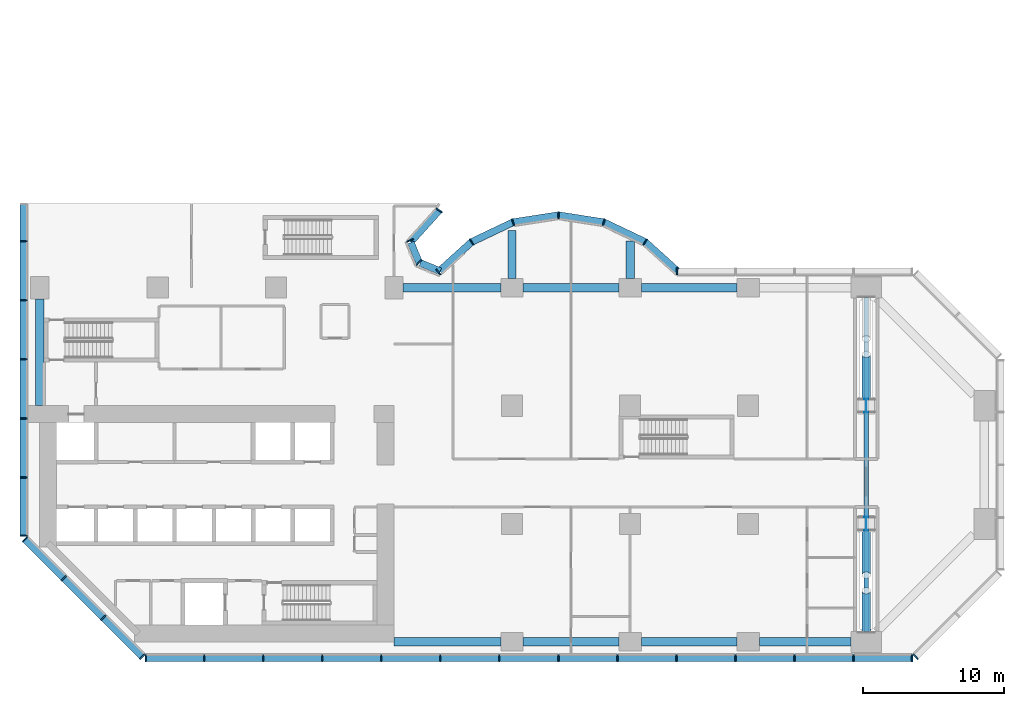
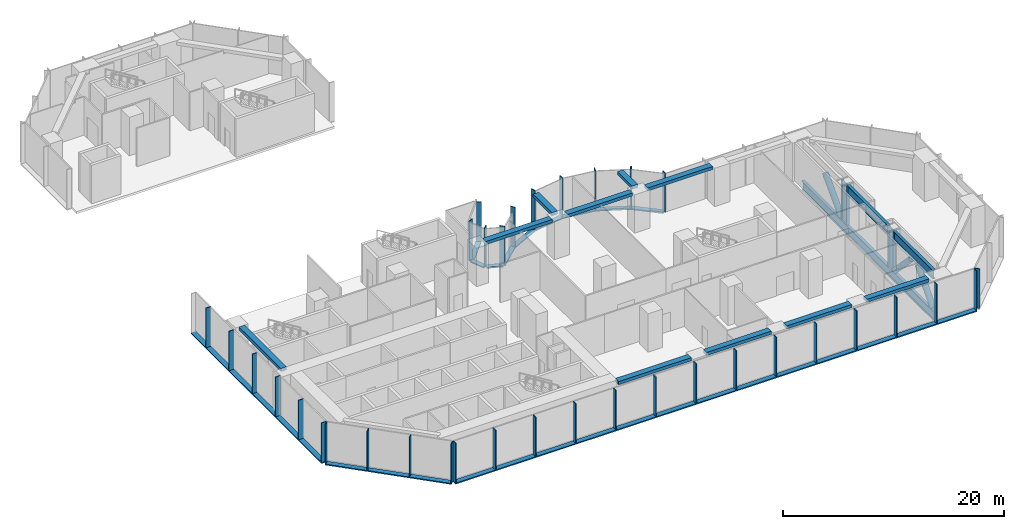
# One storey, part 2 of 18: 55 members, 10 beams, 8 elements without a shape of their own.
"""IFC4 building model written with IfcOpenShell, lengths in metres."""

from ifc_helpers import new_model, si_unit, direction, frame, origin, origin_2d, place, context, subcontext, project, spatial, rectangle, hollow_circle, i_section, extrude, material, material_profile, profile_set, type_object, element, aggregate, save


model = new_model("IFC4")

# Units and contexts
model_context = context("Model", 3, precision=1e-05, world=origin(), true_north=direction((0.0, 1.0)))
body_context = subcontext(model_context, "Body", "Model", "MODEL_VIEW")
ifc_project = project(units=[si_unit("LENGTHUNIT", "METRE"), si_unit("AREAUNIT", "SQUARE_METRE"), si_unit("VOLUMEUNIT", "CUBIC_METRE"), si_unit("PLANEANGLEUNIT", "RADIAN"), si_unit("MASSUNIT", "GRAM", prefix="KILO")], contexts=[model_context])

# Site, building, storey
site_placement = place(None, origin())
site = spatial("IfcSite", under=ifc_project, at=site_placement, CompositionType="ELEMENT")
building_placement = place(site_placement, origin())
building = spatial("IfcBuilding", under=site, at=building_placement, Name="Brevane Broadcast Tower", CompositionType="ELEMENT")
storey_placement = place(building_placement, frame((0.0, 0.0, 27.5)))
storey = spatial("IfcBuildingStorey", under=building, at=storey_placement, Name="L04", CompositionType="ELEMENT", Elevation=27.5)

# Curtain wall, members
ifc_material_1 = material(Name="Aluminium 6063-T6 bronze anodised", Category="aluminium")
curtain_wall_type = type_object("IfcCurtainWallType", Name="CW-2 curtain wall", PredefinedType="NOTDEFINED", material=ifc_material_1)
curtain_wall_1_placement = place(storey_placement, origin())
curtain_wall_1 = element("IfcCurtainWall", 1, at=curtain_wall_1_placement, inside=storey, type_object=curtain_wall_type, Name="CW-2 podium base unit L04 south face", PredefinedType="NOTDEFINED")
ifc_material_profile_1 = material_profile(ifc_material_1, rectangle(XDim=0.5, YDim=0.090087890625, at=origin_2d()), Name="RECT 90x500")
ifc_profile_set_1 = profile_set([ifc_material_profile_1], Name="Aluminium 6063-T6 bronze anodised")
member_type_1 = type_object("IfcMemberType", Name="CW-2 mullion 90x500", PredefinedType="MULLION", material=ifc_profile_set_1)
member_1_placement = place(storey_placement, frame((7.544921875, -1.14990234375, -0.1298828125), z_axis=(0.0, 0.0, 1.0), x_axis=(0.0, 1.0, 0.0)))
member_1 = element("IfcMember", 2, at=member_1_placement, type_object=member_type_1, Name="CW-2 mullion", PredefinedType="MULLION", context=body_context, shape_type="SweptSolid", body=[
    extrude(rectangle(XDim=0.5, YDim=0.090087890625, at=origin_2d()), origin(), (0.0, 0.0, 1.0), 4.3798828125),
])
member_2_placement = place(storey_placement, frame((11.699951171875, -1.14990234375, -0.1298828125), z_axis=(0.0, 0.0, 1.0), x_axis=(0.0, 1.0, 0.0)))
member_2 = element("IfcMember", 3, at=member_2_placement, type_object=member_type_1, Name="CW-2 mullion", PredefinedType="MULLION", context=body_context, shape_type="SweptSolid", body=[
    extrude(rectangle(XDim=0.5, YDim=0.090087890625, at=origin_2d()), origin(), (0.0, 0.0, 1.0), 4.3798828125),
])
member_3_placement = place(storey_placement, frame((15.89990234375, -1.14990234375, -0.1298828125), z_axis=(0.0, 0.0, 1.0), x_axis=(0.0, 1.0, 0.0)))
member_3 = element("IfcMember", 4, at=member_3_placement, type_object=member_type_1, Name="CW-2 mullion", PredefinedType="MULLION", context=body_context, shape_type="SweptSolid", body=[
    extrude(rectangle(XDim=0.5, YDim=0.090087890625, at=origin_2d()), origin(), (0.0, 0.0, 1.0), 4.3798828125),
])
member_4_placement = place(storey_placement, frame((20.10009765625, -1.14990234375, -0.1298828125), z_axis=(0.0, 0.0, 1.0), x_axis=(0.0, 1.0, 0.0)))
member_4 = element("IfcMember", 5, at=member_4_placement, type_object=member_type_1, Name="CW-2 mullion", PredefinedType="MULLION", context=body_context, shape_type="SweptSolid", body=[
    extrude(rectangle(XDim=0.5, YDim=0.090087890625, at=origin_2d()), origin(), (0.0, 0.0, 1.0), 4.3798828125),
])
member_5_placement = place(storey_placement, frame((24.300048828125, -1.14990234375, -0.1298828125), z_axis=(0.0, 0.0, 1.0), x_axis=(0.0, 1.0, 0.0)))
member_5 = element("IfcMember", 6, at=member_5_placement, type_object=member_type_1, Name="CW-2 mullion", PredefinedType="MULLION", context=body_context, shape_type="SweptSolid", body=[
    extrude(rectangle(XDim=0.5, YDim=0.090087890625, at=origin_2d()), origin(), (0.0, 0.0, 1.0), 4.3798828125),
])
member_6_placement = place(storey_placement, frame((28.5, -1.14990234375, -0.1298828125), z_axis=(0.0, 0.0, 1.0), x_axis=(0.0, 1.0, 0.0)))
member_6 = element("IfcMember", 7, at=member_6_placement, type_object=member_type_1, Name="CW-2 mullion", PredefinedType="MULLION", context=body_context, shape_type="SweptSolid", body=[
    extrude(rectangle(XDim=0.5, YDim=0.090087890625, at=origin_2d()), origin(), (0.0, 0.0, 1.0), 4.3798828125),
])
member_7_placement = place(storey_placement, frame((32.699951171875, -1.14990234375, -0.1298828125), z_axis=(0.0, 0.0, 1.0), x_axis=(0.0, 1.0, 0.0)))
member_7 = element("IfcMember", 8, at=member_7_placement, type_object=member_type_1, Name="CW-2 mullion", PredefinedType="MULLION", context=body_context, shape_type="SweptSolid", body=[
    extrude(rectangle(XDim=0.5, YDim=0.090087890625, at=origin_2d()), origin(), (0.0, 0.0, 1.0), 4.3798828125),
])
member_8_placement = place(storey_placement, frame((36.89990234375, -1.14990234375, -0.1298828125), z_axis=(0.0, 0.0, 1.0), x_axis=(0.0, 1.0, 0.0)))
member_8 = element("IfcMember", 9, at=member_8_placement, type_object=member_type_1, Name="CW-2 mullion", PredefinedType="MULLION", context=body_context, shape_type="SweptSolid", body=[
    extrude(rectangle(XDim=0.5, YDim=0.090087890625, at=origin_2d()), origin(), (0.0, 0.0, 1.0), 4.3798828125),
])
member_9_placement = place(storey_placement, frame((41.10009765625, -1.14990234375, -0.1298828125), z_axis=(0.0, 0.0, 1.0), x_axis=(0.0, 1.0, 0.0)))
member_9 = element("IfcMember", 10, at=member_9_placement, type_object=member_type_1, Name="CW-2 mullion", PredefinedType="MULLION", context=body_context, shape_type="SweptSolid", body=[
    extrude(rectangle(XDim=0.5, YDim=0.090087890625, at=origin_2d()), origin(), (0.0, 0.0, 1.0), 4.3798828125),
])
member_10_placement = place(storey_placement, frame((45.300048828125, -1.14990234375, -0.1298828125), z_axis=(0.0, 0.0, 1.0), x_axis=(0.0, 1.0, 0.0)))
member_10 = element("IfcMember", 11, at=member_10_placement, type_object=member_type_1, Name="CW-2 mullion", PredefinedType="MULLION", context=body_context, shape_type="SweptSolid", body=[
    extrude(rectangle(XDim=0.5, YDim=0.090087890625, at=origin_2d()), origin(), (0.0, 0.0, 1.0), 4.3798828125),
])
member_11_placement = place(storey_placement, frame((49.5, -1.14990234375, -0.1298828125), z_axis=(0.0, 0.0, 1.0), x_axis=(0.0, 1.0, 0.0)))
member_11 = element("IfcMember", 12, at=member_11_placement, type_object=member_type_1, Name="CW-2 mullion", PredefinedType="MULLION", context=body_context, shape_type="SweptSolid", body=[
    extrude(rectangle(XDim=0.5, YDim=0.090087890625, at=origin_2d()), origin(), (0.0, 0.0, 1.0), 4.3798828125),
])
member_12_placement = place(storey_placement, frame((53.699951171875, -1.14990234375, -0.1298828125), z_axis=(0.0, 0.0, 1.0), x_axis=(0.0, 1.0, 0.0)))
member_12 = element("IfcMember", 13, at=member_12_placement, type_object=member_type_1, Name="CW-2 mullion", PredefinedType="MULLION", context=body_context, shape_type="SweptSolid", body=[
    extrude(rectangle(XDim=0.5, YDim=0.090087890625, at=origin_2d()), origin(), (0.0, 0.0, 1.0), 4.3798828125),
])
member_13_placement = place(storey_placement, frame((57.89990234375, -1.14990234375, -0.1298828125), z_axis=(0.0, 0.0, 1.0), x_axis=(0.0, 1.0, 0.0)))
member_13 = element("IfcMember", 14, at=member_13_placement, type_object=member_type_1, Name="CW-2 mullion", PredefinedType="MULLION", context=body_context, shape_type="SweptSolid", body=[
    extrude(rectangle(XDim=0.5, YDim=0.090087890625, at=origin_2d()), origin(), (0.0, 0.0, 1.0), 4.3798828125),
])
member_14_placement = place(storey_placement, frame((62.054931640625, -1.14990234375, -0.1298828125), z_axis=(0.0, 0.0, 1.0), x_axis=(0.0, 1.0, 0.0)))
member_14 = element("IfcMember", 15, at=member_14_placement, type_object=member_type_1, Name="CW-2 mullion", PredefinedType="MULLION", context=body_context, shape_type="SweptSolid", body=[
    extrude(rectangle(XDim=0.5, YDim=0.090087890625, at=origin_2d()), origin(), (0.0, 0.0, 1.0), 4.3798828125),
])

# Curtain wall, member
curtain_wall_2_placement = place(storey_placement, origin())
curtain_wall_2 = element("IfcCurtainWall", 16, at=curtain_wall_2_placement, inside=storey, type_object=curtain_wall_type, Name="CW-2 podium base unit L04 south-east chamfer", PredefinedType="NOTDEFINED")
member_15_placement = place(storey_placement, frame((62.30859375, -1.044921875, -0.1298828125), z_axis=(0.0, 0.0, 1.0), x_axis=(-0.707106781187, 0.707106781187, 0.0)))
member_15 = element("IfcMember", 17, at=member_15_placement, type_object=member_type_1, Name="CW-2 mullion", PredefinedType="MULLION", context=body_context, shape_type="SweptSolid", body=[
    extrude(rectangle(XDim=0.5, YDim=0.090087890625, at=origin_2d()), origin(), (0.0, 0.0, 1.0), 4.3798828125),
])
aggregate(curtain_wall_2, [member_15])

curtain_wall_3_placement = place(storey_placement, origin())
curtain_wall_3 = element("IfcCurtainWall", 18, at=curtain_wall_3_placement, inside=storey, type_object=curtain_wall_type, Name="CW-2 podium base unit L04 east arm north face", PredefinedType="NOTDEFINED")
member_16_placement = place(storey_placement, frame((45.344970703125, 26.35009765625, -0.1298828125), z_axis=(0.0, 0.0, 1.0), x_axis=(0.0, -1.0, 0.0)))
member_16 = element("IfcMember", 19, at=member_16_placement, type_object=member_type_1, Name="CW-2 mullion", PredefinedType="MULLION", context=body_context, shape_type="SweptSolid", body=[
    extrude(rectangle(XDim=0.5, YDim=0.090087890625, at=origin_2d()), origin(), (0.0, 0.0, 1.0), 4.3798828125),
])
aggregate(curtain_wall_3, [member_16])

# Curtain wall, members
curtain_wall_4_placement = place(storey_placement, origin())
curtain_wall_4 = element("IfcCurtainWall", 20, at=curtain_wall_4_placement, inside=storey, type_object=curtain_wall_type, Name="CW-2 podium base unit L04 east bow", PredefinedType="NOTDEFINED")
member_17_placement = place(storey_placement, frame((43.0712890625, 28.447021484375, -0.1298828125), z_axis=(0.0, 0.0, 1.0), x_axis=(-0.555997481379, -0.831183975243, 0.0)))
member_17 = element("IfcMember", 21, at=member_17_placement, type_object=member_type_1, Name="CW-2 mullion", PredefinedType="MULLION", context=body_context, shape_type="SweptSolid", body=[
    extrude(rectangle(XDim=0.5, YDim=0.090087890625, at=origin_2d()), origin(), (0.0, 0.0, 1.0), 4.3798828125),
])
member_18_placement = place(storey_placement, frame((40.126953125, 29.84912109375, -0.1298828125), z_axis=(0.0, 0.0, 1.0), x_axis=(-0.294828346832, -0.955550232015, 0.0)))
member_18 = element("IfcMember", 22, at=member_18_placement, type_object=member_type_1, Name="CW-2 mullion", PredefinedType="MULLION", context=body_context, shape_type="SweptSolid", body=[
    extrude(rectangle(XDim=0.5, YDim=0.090087890625, at=origin_2d()), origin(), (0.0, 0.0, 1.0), 4.3798828125),
])
member_19_placement = place(storey_placement, frame((36.89990234375, 30.35009765625, -0.1298828125), z_axis=(0.0, 0.0, 1.0), x_axis=(0.0, -1.0, 0.0)))
member_19 = element("IfcMember", 23, at=member_19_placement, type_object=member_type_1, Name="CW-2 mullion", PredefinedType="MULLION", context=body_context, shape_type="SweptSolid", body=[
    extrude(rectangle(XDim=0.5, YDim=0.090087890625, at=origin_2d()), origin(), (0.0, 0.0, 1.0), 4.3798828125),
])
member_20_placement = place(storey_placement, frame((33.673095703125, 29.84912109375, -0.1298828125), z_axis=(0.0, 0.0, 1.0), x_axis=(0.294828346832, -0.955550232015, 0.0)))
member_20 = element("IfcMember", 24, at=member_20_placement, type_object=member_type_1, Name="CW-2 mullion", PredefinedType="MULLION", context=body_context, shape_type="SweptSolid", body=[
    extrude(rectangle(XDim=0.5, YDim=0.090087890625, at=origin_2d()), origin(), (0.0, 0.0, 1.0), 4.3798828125),
])
member_21_placement = place(storey_placement, frame((30.728759765625, 28.447021484375, -0.1298828125), z_axis=(0.0, 0.0, 1.0), x_axis=(0.555997481379, -0.831183975243, 0.0)))
member_21 = element("IfcMember", 25, at=member_21_placement, type_object=member_type_1, Name="CW-2 mullion", PredefinedType="MULLION", context=body_context, shape_type="SweptSolid", body=[
    extrude(rectangle(XDim=0.5, YDim=0.090087890625, at=origin_2d()), origin(), (0.0, 0.0, 1.0), 4.3798828125),
])
member_22_placement = place(storey_placement, frame((28.36572265625, 26.315673828125, -0.1298828125), z_axis=(0.0, 0.0, 1.0), x_axis=(0.670368934758, -0.742027958578, 0.0)))
member_22 = element("IfcMember", 26, at=member_22_placement, type_object=member_type_1, Name="CW-2 mullion", PredefinedType="MULLION", context=body_context, shape_type="SweptSolid", body=[
    extrude(rectangle(XDim=0.5, YDim=0.090087890625, at=origin_2d()), origin(), (0.0, 0.0, 1.0), 4.3798828125),
])

curtain_wall_5_placement = place(storey_placement, origin())
curtain_wall_5 = element("IfcCurtainWall", 27, at=curtain_wall_5_placement, inside=storey, type_object=curtain_wall_type, Name="CW-2 podium base unit L04 inner corner", PredefinedType="NOTDEFINED")
member_23_placement = place(storey_placement, frame((26.979736328125, 26.979736328125, -0.1298828125), z_axis=(0.0, 0.0, 1.0), x_axis=(-0.707106781187, -0.707106781187, 0.0)))
member_23 = element("IfcMember", 28, at=member_23_placement, type_object=member_type_1, Name="CW-2 mullion", PredefinedType="MULLION", context=body_context, shape_type="SweptSolid", body=[
    extrude(rectangle(XDim=0.5, YDim=0.090087890625, at=origin_2d()), origin(), (0.0, 0.0, 1.0), 4.3798828125),
])
member_24_placement = place(storey_placement, frame((26.34814453125, 28.55419921875, -0.1298828125), z_axis=(0.0, 0.0, 1.0), x_axis=(-0.923879457699, -0.382683612978, 0.0)))
member_24 = element("IfcMember", 29, at=member_24_placement, type_object=member_type_1, Name="CW-2 mullion", PredefinedType="MULLION", context=body_context, shape_type="SweptSolid", body=[
    extrude(rectangle(XDim=0.5, YDim=0.090087890625, at=origin_2d()), origin(), (0.0, 0.0, 1.0), 4.3798828125),
])

# Curtain wall, member
curtain_wall_6_placement = place(storey_placement, origin())
curtain_wall_6 = element("IfcCurtainWall", 30, at=curtain_wall_6_placement, inside=storey, type_object=curtain_wall_type, Name="CW-2 podium base unit L04 north bow", PredefinedType="NOTDEFINED")
member_25_placement = place(storey_placement, frame((28.421875, 30.69140625, -0.1298828125), z_axis=(0.0, 0.0, 1.0), x_axis=(-0.831183975243, 0.555997481379, 0.0)))
member_25 = element("IfcMember", 31, at=member_25_placement, type_object=member_type_1, Name="CW-2 mullion", PredefinedType="MULLION", context=body_context, shape_type="SweptSolid", body=[
    extrude(rectangle(XDim=0.5, YDim=0.090087890625, at=origin_2d()), origin(), (0.0, 0.0, 1.0), 4.3798828125),
])

# Curtain wall, members
curtain_wall_7_placement = place(storey_placement, origin())
curtain_wall_7 = element("IfcCurtainWall", 32, at=curtain_wall_7_placement, inside=storey, type_object=curtain_wall_type, Name="CW-2 podium base unit L04 west face", PredefinedType="NOTDEFINED")
member_26_placement = place(storey_placement, frame((-1.14990234375, 28.5, -0.1298828125), z_axis=(0.0, 0.0, 1.0), x_axis=(1.0, 0.0, 0.0)))
member_26 = element("IfcMember", 33, at=member_26_placement, type_object=member_type_1, Name="CW-2 mullion", PredefinedType="MULLION", context=body_context, shape_type="SweptSolid", body=[
    extrude(rectangle(XDim=0.5, YDim=0.090087890625, at=origin_2d()), origin(), (0.0, 0.0, 1.0), 4.3798828125),
])
member_27_placement = place(storey_placement, frame((-1.14990234375, 24.300048828125, -0.1298828125), z_axis=(0.0, 0.0, 1.0), x_axis=(1.0, 0.0, 0.0)))
member_27 = element("IfcMember", 34, at=member_27_placement, type_object=member_type_1, Name="CW-2 mullion", PredefinedType="MULLION", context=body_context, shape_type="SweptSolid", body=[
    extrude(rectangle(XDim=0.5, YDim=0.090087890625, at=origin_2d()), origin(), (0.0, 0.0, 1.0), 4.3798828125),
])
member_28_placement = place(storey_placement, frame((-1.14990234375, 20.10009765625, -0.1298828125), z_axis=(0.0, 0.0, 1.0), x_axis=(1.0, 0.0, 0.0)))
member_28 = element("IfcMember", 35, at=member_28_placement, type_object=member_type_1, Name="CW-2 mullion", PredefinedType="MULLION", context=body_context, shape_type="SweptSolid", body=[
    extrude(rectangle(XDim=0.5, YDim=0.090087890625, at=origin_2d()), origin(), (0.0, 0.0, 1.0), 4.3798828125),
])
member_29_placement = place(storey_placement, frame((-1.14990234375, 15.89990234375, -0.1298828125), z_axis=(0.0, 0.0, 1.0), x_axis=(1.0, 0.0, 0.0)))
member_29 = element("IfcMember", 36, at=member_29_placement, type_object=member_type_1, Name="CW-2 mullion", PredefinedType="MULLION", context=body_context, shape_type="SweptSolid", body=[
    extrude(rectangle(XDim=0.5, YDim=0.090087890625, at=origin_2d()), origin(), (0.0, 0.0, 1.0), 4.3798828125),
])
member_30_placement = place(storey_placement, frame((-1.14990234375, 11.699951171875, -0.1298828125), z_axis=(0.0, 0.0, 1.0), x_axis=(1.0, 0.0, 0.0)))
member_30 = element("IfcMember", 37, at=member_30_placement, type_object=member_type_1, Name="CW-2 mullion", PredefinedType="MULLION", context=body_context, shape_type="SweptSolid", body=[
    extrude(rectangle(XDim=0.5, YDim=0.090087890625, at=origin_2d()), origin(), (0.0, 0.0, 1.0), 4.3798828125),
])
member_31_placement = place(storey_placement, frame((-1.14990234375, 7.544921875, -0.1298828125), z_axis=(0.0, 0.0, 1.0), x_axis=(1.0, 0.0, 0.0)))
member_31 = element("IfcMember", 38, at=member_31_placement, type_object=member_type_1, Name="CW-2 mullion", PredefinedType="MULLION", context=body_context, shape_type="SweptSolid", body=[
    extrude(rectangle(XDim=0.5, YDim=0.090087890625, at=origin_2d()), origin(), (0.0, 0.0, 1.0), 4.3798828125),
])

curtain_wall_8_placement = place(storey_placement, origin())
curtain_wall_8 = element("IfcCurtainWall", 39, at=curtain_wall_8_placement, inside=storey, type_object=curtain_wall_type, Name="CW-2 podium base unit L04 south-west chamfer", PredefinedType="NOTDEFINED")
member_32_placement = place(storey_placement, frame((-1.044921875, 7.29150390625, -0.1298828125), z_axis=(0.0, 0.0, 1.0), x_axis=(0.707106781187, 0.707106781187, 0.0)))
member_32 = element("IfcMember", 40, at=member_32_placement, type_object=member_type_1, Name="CW-2 mullion", PredefinedType="MULLION", context=body_context, shape_type="SweptSolid", body=[
    extrude(rectangle(XDim=0.5, YDim=0.090087890625, at=origin_2d()), origin(), (0.0, 0.0, 1.0), 4.3798828125),
])
member_33_placement = place(storey_placement, frame((1.72314453125, 4.523193359375, -0.1298828125), z_axis=(0.0, 0.0, 1.0), x_axis=(0.707106781187, 0.707106781187, 0.0)))
member_33 = element("IfcMember", 41, at=member_33_placement, type_object=member_type_1, Name="CW-2 mullion", PredefinedType="MULLION", context=body_context, shape_type="SweptSolid", body=[
    extrude(rectangle(XDim=0.5, YDim=0.090087890625, at=origin_2d()), origin(), (0.0, 0.0, 1.0), 4.3798828125),
])
member_34_placement = place(storey_placement, frame((4.523193359375, 1.72314453125, -0.1298828125), z_axis=(0.0, 0.0, 1.0), x_axis=(0.707106781187, 0.707106781187, 0.0)))
member_34 = element("IfcMember", 42, at=member_34_placement, type_object=member_type_1, Name="CW-2 mullion", PredefinedType="MULLION", context=body_context, shape_type="SweptSolid", body=[
    extrude(rectangle(XDim=0.5, YDim=0.090087890625, at=origin_2d()), origin(), (0.0, 0.0, 1.0), 4.3798828125),
])
member_35_placement = place(storey_placement, frame((7.29150390625, -1.044921875, -0.1298828125), z_axis=(0.0, 0.0, 1.0), x_axis=(0.707106781187, 0.707106781187, 0.0)))
member_35 = element("IfcMember", 43, at=member_35_placement, type_object=member_type_1, Name="CW-2 mullion", PredefinedType="MULLION", context=body_context, shape_type="SweptSolid", body=[
    extrude(rectangle(XDim=0.5, YDim=0.090087890625, at=origin_2d()), origin(), (0.0, 0.0, 1.0), 4.3798828125),
])

# Member
ifc_material_profile_2 = material_profile(ifc_material_1, rectangle(XDim=0.5, YDim=0.1201171875, at=origin_2d()), Name="RECT 120x500")
ifc_profile_set_2 = profile_set([ifc_material_profile_2], Name="Aluminium 6063-T6 bronze anodised")
member_type_2 = type_object("IfcMemberType", Name="CW-2 transom 120x500", PredefinedType="USERDEFINED", material=ifc_profile_set_2)
member_36_placement = place(storey_placement, frame((7.5, -1.14990234375, -0.18994140625), z_axis=(1.0, 0.0, 0.0), x_axis=(0.0, 1.0, 0.0)))
member_36 = element("IfcMember", 44, at=member_36_placement, type_object=member_type_2, Name="CW-2 transom", ObjectType="TRANSOM", PredefinedType="USERDEFINED", context=body_context, shape_type="SweptSolid", body=[
    extrude(rectangle(XDim=0.5, YDim=0.1201171875, at=origin_2d()), origin(), (0.0, 0.0, 1.0), 54.60009765625),
])

aggregate(curtain_wall_1, [member_1, member_2, member_3, member_4, member_5, member_6, member_7, member_8, member_9, member_10, member_11, member_12, member_13, member_14, member_36])

member_37_placement = place(storey_placement, frame((45.349365234375, 26.39208984375, -0.18994140625), z_axis=(-0.742007303722, 0.670391796805, 0.0), x_axis=(-0.670391796805, -0.742007303722, 0.0)))
member_37 = element("IfcMember", 45, at=member_37_placement, type_object=member_type_2, Name="CW-2 transom", ObjectType="TRANSOM", PredefinedType="USERDEFINED", context=body_context, shape_type="SweptSolid", body=[
    extrude(rectangle(XDim=0.5, YDim=0.1201171875, at=origin_2d()), origin(), (0.0, 0.0, 1.0), 3.040771484375),
])

member_38_placement = place(storey_placement, frame((43.039794921875, 28.46484375, -0.18994140625), z_axis=(-0.902852027894, 0.429951410892, 0.0), x_axis=(-0.429951410892, -0.902852027894, 0.0)))
member_38 = element("IfcMember", 46, at=member_38_placement, type_object=member_type_2, Name="CW-2 transom", ObjectType="TRANSOM", PredefinedType="USERDEFINED", context=body_context, shape_type="SweptSolid", body=[
    extrude(rectangle(XDim=0.5, YDim=0.1201171875, at=origin_2d()), origin(), (0.0, 0.0, 1.0), 3.18896484375),
])

member_39_placement = place(storey_placement, frame((40.100341796875, 29.855712890625, -0.18994140625), z_axis=(-0.988151305523, 0.153482889576, 0.0), x_axis=(-0.153482889576, -0.988151305523, 0.0)))
member_39 = element("IfcMember", 47, at=member_39_placement, type_object=member_type_2, Name="CW-2 transom", ObjectType="TRANSOM", PredefinedType="USERDEFINED", context=body_context, shape_type="SweptSolid", body=[
    extrude(rectangle(XDim=0.5, YDim=0.1201171875, at=origin_2d()), origin(), (0.0, 0.0, 1.0), 3.19091796875),
])

member_40_placement = place(storey_placement, frame((36.852783203125, 30.345458984375, -0.18994140625), z_axis=(-0.98815310771, -0.153471286317, 0.0), x_axis=(0.153471286317, -0.98815310771, 0.0)))
member_40 = element("IfcMember", 48, at=member_40_placement, type_object=member_type_2, Name="CW-2 transom", ObjectType="TRANSOM", PredefinedType="USERDEFINED", context=body_context, shape_type="SweptSolid", body=[
    extrude(rectangle(XDim=0.5, YDim=0.1201171875, at=origin_2d()), origin(), (0.0, 0.0, 1.0), 3.191162109375),
])

member_41_placement = place(storey_placement, frame((33.639404296875, 29.8359375, -0.18994140625), z_axis=(-0.902852027894, -0.429951410892, 0.0), x_axis=(0.429951410892, -0.902852027894, 0.0)))
member_41 = element("IfcMember", 49, at=member_41_placement, type_object=member_type_2, Name="CW-2 transom", ObjectType="TRANSOM", PredefinedType="USERDEFINED", context=body_context, shape_type="SweptSolid", body=[
    extrude(rectangle(XDim=0.5, YDim=0.1201171875, at=origin_2d()), origin(), (0.0, 0.0, 1.0), 3.18896484375),
])

member_42_placement = place(storey_placement, frame((30.70703125, 28.4306640625, -0.18994140625), z_axis=(-0.742043383245, -0.670351860878, 0.0), x_axis=(0.670351860878, -0.742043383245, 0.0)))
member_42 = element("IfcMember", 50, at=member_42_placement, type_object=member_type_2, Name="CW-2 transom", ObjectType="TRANSOM", PredefinedType="USERDEFINED", context=body_context, shape_type="SweptSolid", body=[
    extrude(rectangle(XDim=0.5, YDim=0.1201171875, at=origin_2d()), origin(), (0.0, 0.0, 1.0), 3.041015625),
])

aggregate(curtain_wall_4, [member_17, member_18, member_19, member_20, member_21, member_22, member_37, member_38, member_39, member_40, member_41, member_42])

member_43_placement = place(storey_placement, frame((28.500244140625, 26.365234375, -0.18994140625), z_axis=(-0.923883243627, 0.382674472816, 0.0), x_axis=(-0.382674472816, -0.923883243627, 0.0)))
member_43 = element("IfcMember", 51, at=member_43_placement, type_object=member_type_2, Name="CW-2 transom", ObjectType="TRANSOM", PredefinedType="USERDEFINED", context=body_context, shape_type="SweptSolid", body=[
    extrude(rectangle(XDim=0.5, YDim=0.1201171875, at=origin_2d()), origin(), (0.0, 0.0, 1.0), 1.536865234375),
])

member_44_placement = place(storey_placement, frame((26.99072265625, 26.990234375, -0.18994140625), z_axis=(-0.382674472816, 0.923883243627, 0.0), x_axis=(-0.923883243627, -0.382674472816, 0.0)))
member_44 = element("IfcMember", 52, at=member_44_placement, type_object=member_type_2, Name="CW-2 transom", ObjectType="TRANSOM", PredefinedType="USERDEFINED", context=body_context, shape_type="SweptSolid", body=[
    extrude(rectangle(XDim=0.5, YDim=0.1201171875, at=origin_2d()), origin(), (0.0, 0.0, 1.0), 1.536865234375),
])

aggregate(curtain_wall_5, [member_23, member_24, member_43, member_44])

member_45_placement = place(storey_placement, frame((26.39208984375, 28.450439453125, -0.18994140625), z_axis=(0.670351860878, 0.742043383245, 0.0), x_axis=(-0.742043383245, 0.670351860878, 0.0)))
member_45 = element("IfcMember", 53, at=member_45_placement, type_object=member_type_2, Name="CW-2 transom", ObjectType="TRANSOM", PredefinedType="USERDEFINED", context=body_context, shape_type="SweptSolid", body=[
    extrude(rectangle(XDim=0.5, YDim=0.1201171875, at=origin_2d()), origin(), (0.0, 0.0, 1.0), 3.041015625),
])

aggregate(curtain_wall_6, [member_25, member_45])

member_46_placement = place(storey_placement, frame((-1.14990234375, 31.199951171875, -0.18994140625), z_axis=(0.0, -1.0, 0.0), x_axis=(1.0, 0.0, 0.0)))
member_46 = element("IfcMember", 54, at=member_46_placement, type_object=member_type_2, Name="CW-2 transom", ObjectType="TRANSOM", PredefinedType="USERDEFINED", context=body_context, shape_type="SweptSolid", body=[
    extrude(rectangle(XDim=0.5, YDim=0.1201171875, at=origin_2d()), origin(), (0.0, 0.0, 1.0), 23.699951171875),
])

aggregate(curtain_wall_7, [member_26, member_27, member_28, member_29, member_30, member_31, member_46])

member_47_placement = place(storey_placement, frame((-1.07666015625, 7.3232421875, -0.18994140625), z_axis=(0.707106781187, -0.707106781187, 0.0), x_axis=(0.707106781187, 0.707106781187, 0.0)))
member_47 = element("IfcMember", 55, at=member_47_placement, type_object=member_type_2, Name="CW-2 transom", ObjectType="TRANSOM", PredefinedType="USERDEFINED", context=body_context, shape_type="SweptSolid", body=[
    extrude(rectangle(XDim=0.5, YDim=0.1201171875, at=origin_2d()), origin(), (0.0, 0.0, 1.0), 11.879150390625),
])

aggregate(curtain_wall_8, [member_32, member_33, member_34, member_35, member_47])

# Beams
ifc_material_2 = material(Name="Concrete C40/50", Category="concrete")
ifc_material_profile_3 = material_profile(ifc_material_2, rectangle(XDim=0.60009765625, YDim=0.35009765625, at=origin_2d()), Name="RC 600x350")
ifc_profile_set_3 = profile_set([ifc_material_profile_3], Name="Concrete C40/50")
beam_type_1 = type_object("IfcBeamType", Name="RC BRACKET BEAM 600x350 C40/50", PredefinedType="BEAM", material=ifc_profile_set_3)
beam_1_placement = place(storey_placement, frame((33.60009765625, 25.85009765625, 4.074951171875), z_axis=(0.0, 1.0, 0.0), x_axis=(-1.0, 0.0, 0.0)))
element("IfcBeam", 56, at=beam_1_placement, inside=storey, type_object=beam_type_1, Name="EB2 L04-1", PredefinedType="BEAM", context=body_context, shape_type="SweptSolid", body=[
    extrude(rectangle(XDim=0.60009765625, YDim=0.35009765625, at=origin_2d()), origin(), (0.0, 0.0, 1.0), 3.411865234375),
])
beam_2_placement = place(storey_placement, frame((42.0, 25.85009765625, 4.074951171875), z_axis=(0.0, 1.0, 0.0), x_axis=(-1.0, 0.0, 0.0)))
element("IfcBeam", 57, at=beam_2_placement, inside=storey, type_object=beam_type_1, Name="EB2 L04-2", PredefinedType="BEAM", context=body_context, shape_type="SweptSolid", body=[
    extrude(rectangle(XDim=0.60009765625, YDim=0.35009765625, at=origin_2d()), origin(), (0.0, 0.0, 1.0), 2.661376953125),
])
ifc_material_profile_4 = material_profile(ifc_material_2, rectangle(XDim=0.60009765625, YDim=0.35009765625, at=origin_2d()), Name="RC 600x350")
ifc_profile_set_4 = profile_set([ifc_material_profile_4], Name="Concrete C40/50")
beam_type_2 = type_object("IfcBeamType", Name="RC SPANDREL BEAM 600x350 C40/50", PredefinedType="SPANDREL", material=ifc_profile_set_4)
beam_3_placement = place(storey_placement, frame((25.199951171875, 0.0, 4.074951171875), z_axis=(1.0, 0.0, 0.0), x_axis=(0.0, 1.0, 0.0)))
element("IfcBeam", 58, at=beam_3_placement, inside=storey, type_object=beam_type_2, Name="EB1 L04-1", PredefinedType="SPANDREL", context=body_context, shape_type="SweptSolid", body=[
    extrude(rectangle(XDim=0.60009765625, YDim=0.35009765625, at=origin_2d()), origin(), (0.0, 0.0, 1.0), 7.60009765625),
])
for number, where, z_axis, x_axis, name in (
    (59, (34.39990234375, 0.0, 4.074951171875), (1.0, 0.0, 0.0), (0.0, 1.0, 0.0), "EB1 L04-2"),
    (60, (42.800048828125, 0.0, 4.074951171875), (1.0, 0.0, 0.0), (0.0, 1.0, 0.0), "EB1 L04-3"),
):
    element("IfcBeam", number, at=place(storey_placement, frame(where, z_axis=z_axis, x_axis=x_axis)), inside=storey, type_object=beam_type_2, Name=name, PredefinedType="SPANDREL", context=body_context, shape_type="SweptSolid", body=[
        extrude(rectangle(XDim=0.60009765625, YDim=0.35009765625, at=origin_2d()), origin(), (0.0, 0.0, 1.0), 6.800048828125),
    ])
beam_4_placement = place(storey_placement, frame((51.199951171875, 0.0, 4.074951171875), z_axis=(1.0, 0.0, 0.0), x_axis=(0.0, 1.0, 0.0)))
element("IfcBeam", 61, at=beam_4_placement, inside=storey, type_object=beam_type_2, Name="EB1 L04-4", PredefinedType="SPANDREL", context=body_context, shape_type="SweptSolid", body=[
    extrude(rectangle(XDim=0.60009765625, YDim=0.35009765625, at=origin_2d()), origin(), (0.0, 0.0, 1.0), 6.5),
])
for number, where, z_axis, x_axis, name in (
    (62, (49.60009765625, 25.199951171875, 4.074951171875), (-1.0, 0.0, 0.0), (0.0, -1.0, 0.0), "EB1 L04-9"),
    (63, (41.199951171875, 25.199951171875, 4.074951171875), (-1.0, 0.0, 0.0), (0.0, -1.0, 0.0), "EB1 L04-10"),
):
    element("IfcBeam", number, at=place(storey_placement, frame(where, z_axis=z_axis, x_axis=x_axis)), inside=storey, type_object=beam_type_2, Name=name, PredefinedType="SPANDREL", context=body_context, shape_type="SweptSolid", body=[
        extrude(rectangle(XDim=0.60009765625, YDim=0.35009765625, at=origin_2d()), origin(), (0.0, 0.0, 1.0), 6.800048828125),
    ])
beam_5_placement = place(storey_placement, frame((32.800048828125, 25.199951171875, 4.074951171875), z_axis=(-1.0, 0.0, 0.0), x_axis=(0.0, -1.0, 0.0)))
element("IfcBeam", 64, at=beam_5_placement, inside=storey, type_object=beam_type_2, Name="EB1 L04-11", PredefinedType="SPANDREL", context=body_context, shape_type="SweptSolid", body=[
    extrude(rectangle(XDim=0.60009765625, YDim=0.35009765625, at=origin_2d()), origin(), (0.0, 0.0, 1.0), 6.949951171875),
])
beam_6_placement = place(storey_placement, frame((0.0, 24.39990234375, 4.074951171875), z_axis=(0.0, -1.0, 0.0), x_axis=(1.0, 0.0, 0.0)))
element("IfcBeam", 65, at=beam_6_placement, inside=storey, type_object=beam_type_2, Name="EB1 L04-15", PredefinedType="SPANDREL", context=body_context, shape_type="SweptSolid", body=[
    extrude(rectangle(XDim=0.60009765625, YDim=0.35009765625, at=origin_2d()), origin(), (0.0, 0.0, 1.0), 7.599853515625),
])

# Members
ifc_material_3 = material(Name="Steel S355", Category="steel")
ifc_material_profile_5 = material_profile(ifc_material_3, i_section(OverallWidth=0.302001953125, OverallDepth=1.008056640625, WebThickness=0.02099609375, FlangeThickness=0.0400390625, FilletRadius=0.030029296875, at=origin_2d()), Name="HE 1000 M")
ifc_profile_set_5 = profile_set([ifc_material_profile_5], Name="Steel S355")
member_type_3 = type_object("IfcMemberType", Name="STEEL TRANSFER CHORD HE 1000 M S355", PredefinedType="CHORD", material=ifc_profile_set_5)
member_48_placement = place(storey_placement, frame((58.800048828125, 0.699951171875, -0.75390625), z_axis=(0.0, 1.0, 0.0), x_axis=(-1.0, 0.0, 0.0)))
element("IfcMember", 66, at=member_48_placement, inside=storey, type_object=member_type_3, Name="TC2 bottom", PredefinedType="CHORD", context=body_context, shape_type="SweptSolid", body=[
    extrude(i_section(OverallWidth=0.302001953125, OverallDepth=1.008056640625, WebThickness=0.02099609375, FlangeThickness=0.0400390625, FilletRadius=0.030029296875, at=origin_2d()), origin(), (0.0, 0.0, 1.0), 23.800048828125),
])
ifc_material_profile_6 = material_profile(ifc_material_3, hollow_circle(Radius=0.304931640625, WallThickness=0.01611328125, at=origin_2d()), Name="CHS 610x16")
ifc_profile_set_6 = profile_set([ifc_material_profile_6], Name="Steel S355")
member_type_4 = type_object("IfcMemberType", Name="STEEL TRANSFER DIAGONAL CHS 610x16 S355", PredefinedType="BRACE", material=ifc_profile_set_6)
member_49_placement = place(storey_placement, frame((58.800048828125, 0.86083984375, -0.0654296875), z_axis=(0.0, 0.664697309658, 0.747112766946), x_axis=(-1.0, 0.0, 0.0)))
element("IfcMember", 67, at=member_49_placement, inside=storey, type_object=member_type_4, Name="TD3 1", PredefinedType="BRACE", context=body_context, shape_type="SweptSolid", body=[
    extrude(hollow_circle(Radius=0.304931640625, WallThickness=0.01611328125, at=origin_2d()), origin(), (0.0, 0.0, 1.0), 4.179931640625),
])
member_50_placement = place(storey_placement, frame((58.800048828125, 7.74365234375, -0.05810546875), z_axis=(0.0, -0.69342195513, 0.720531742635), x_axis=(1.0, 0.0, 0.0)))
element("IfcMember", 68, at=member_50_placement, inside=storey, type_object=member_type_4, Name="TD3 2", PredefinedType="BRACE", context=body_context, shape_type="SweptSolid", body=[
    extrude(hollow_circle(Radius=0.304931640625, WallThickness=0.01611328125, at=origin_2d()), origin(), (0.0, 0.0, 1.0), 4.313720703125),
])
member_51_placement = place(storey_placement, frame((58.800048828125, 17.456298828125, -0.05810546875), z_axis=(0.0, 0.693451336448, 0.720503465626), x_axis=(-1.0, 0.0, 0.0)))
element("IfcMember", 69, at=member_51_placement, inside=storey, type_object=member_type_4, Name="TD3 4", PredefinedType="BRACE", context=body_context, shape_type="SweptSolid", body=[
    extrude(hollow_circle(Radius=0.304931640625, WallThickness=0.01611328125, at=origin_2d()), origin(), (0.0, 0.0, 1.0), 4.31396484375),
])
ifc_material_profile_7 = material_profile(ifc_material_3, i_section(OverallWidth=0.302001953125, OverallDepth=1.008056640625, WebThickness=0.02099609375, FlangeThickness=0.0400390625, FilletRadius=0.030029296875, at=origin_2d()), Name="HE 1000 M")
ifc_profile_set_7 = profile_set([ifc_material_profile_7], Name="Steel S355")
member_type_5 = type_object("IfcMemberType", Name="STEEL TRANSFER POST HE 1000 M S355", PredefinedType="STUD", material=ifc_profile_set_7)
for number, where, z_axis, x_axis, name in (
    (70, (58.800048828125, 8.39990234375, -0.25), (0.0, 0.0, 1.0), (1.0, 0.0, 0.0), "TP2 1"),
    (71, (58.800048828125, 16.800048828125, -0.25), (0.0, 0.0, 1.0), (1.0, 0.0, 0.0), "TP2 2"),
):
    element("IfcMember", number, at=place(storey_placement, frame(where, z_axis=z_axis, x_axis=x_axis)), inside=storey, type_object=member_type_5, Name=name, PredefinedType="STUD", context=body_context, shape_type="SweptSolid", body=[
        extrude(i_section(OverallWidth=0.302001953125, OverallDepth=1.008056640625, WebThickness=0.02099609375, FlangeThickness=0.0400390625, FilletRadius=0.030029296875, at=origin_2d()), origin(), (0.0, 0.0, 1.0), 4.5),
    ])
ifc_material_profile_8 = material_profile(ifc_material_3, i_section(OverallWidth=0.300048828125, OverallDepth=1.0, WebThickness=0.01904296875, FlangeThickness=0.035888671875, FilletRadius=0.030029296875, at=origin_2d()), Name="HE 1000 B")
ifc_profile_set_8 = profile_set([ifc_material_profile_8], Name="Steel S355")
member_type_6 = type_object("IfcMemberType", Name="STEEL TRANSFER TOP CHORD HE 1000 B S355", PredefinedType="CHORD", material=ifc_profile_set_8)
member_52_placement = place(storey_placement, frame((58.800048828125, 0.699951171875, 3.75), z_axis=(0.0, 1.0, 0.0), x_axis=(-1.0, 0.0, 0.0)))
element("IfcMember", 72, at=member_52_placement, inside=storey, type_object=member_type_6, Name="TC2 top 1", PredefinedType="CHORD", context=body_context, shape_type="SweptSolid", body=[
    extrude(i_section(OverallWidth=0.300048828125, OverallDepth=1.0, WebThickness=0.01904296875, FlangeThickness=0.035888671875, FilletRadius=0.030029296875, at=origin_2d()), origin(), (0.0, 0.0, 1.0), 7.22607421875),
])
member_53_placement = place(storey_placement, frame((58.800048828125, 8.8740234375, 3.75), z_axis=(0.0, 1.0, 0.0), x_axis=(-1.0, 0.0, 0.0)))
element("IfcMember", 73, at=member_53_placement, inside=storey, type_object=member_type_6, Name="TC2 top 2", PredefinedType="CHORD", context=body_context, shape_type="SweptSolid", body=[
    extrude(i_section(OverallWidth=0.300048828125, OverallDepth=1.0, WebThickness=0.01904296875, FlangeThickness=0.035888671875, FilletRadius=0.030029296875, at=origin_2d()), origin(), (0.0, 0.0, 1.0), 7.451904296875),
])

save(model, "model.ifc")
